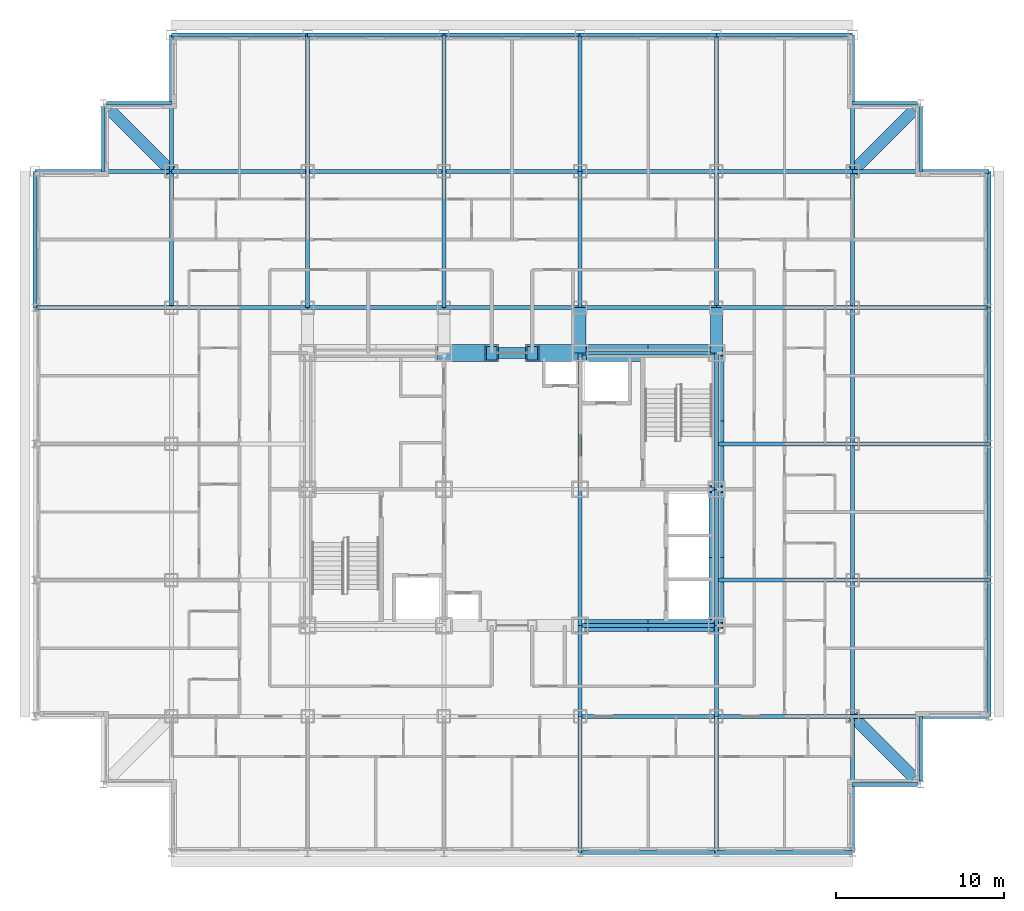
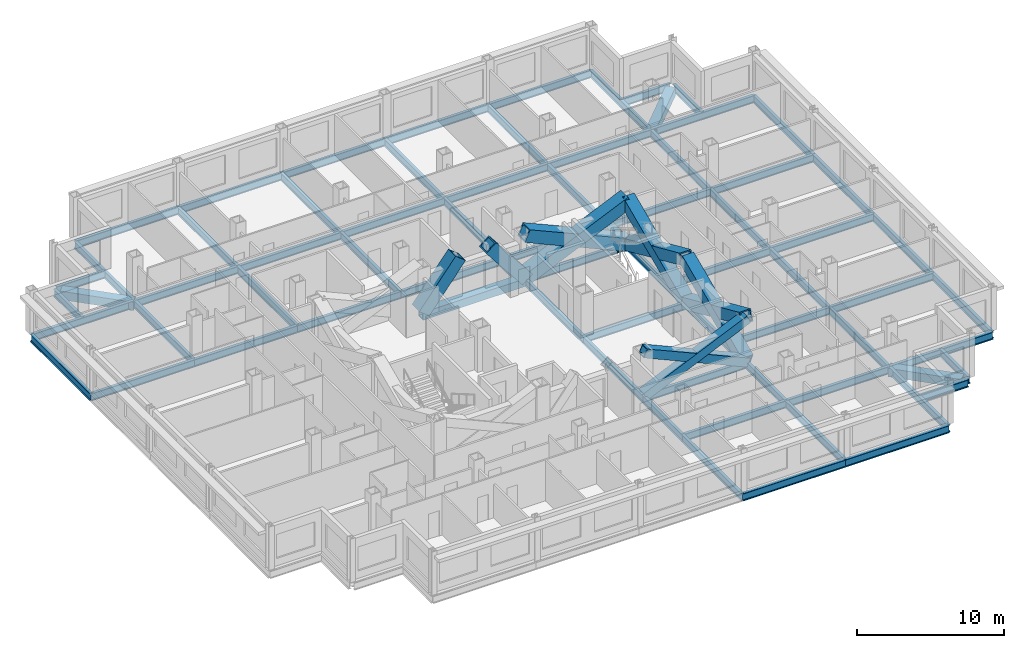
# One storey, part 2 of 12: 72 beams, 10 members.
"""IFC4 building model written with IfcOpenShell, lengths in metres."""

from ifc_helpers import new_model, si_unit, direction, frame, origin, origin_2d, place, context, subcontext, project, spatial, hollow_rectangle, i_section, extrude, material, material_profile, profile_set, type_object, element, save


model = new_model("IFC4")

# Units and contexts
model_context = context("Model", 3, precision=1e-05, world=origin(), true_north=direction((0.0, 1.0)))
body_context = subcontext(model_context, "Body", "Model", "MODEL_VIEW")
ifc_project = project(units=[si_unit("LENGTHUNIT", "METRE"), si_unit("AREAUNIT", "SQUARE_METRE"), si_unit("VOLUMEUNIT", "CUBIC_METRE"), si_unit("PLANEANGLEUNIT", "RADIAN"), si_unit("MASSUNIT", "GRAM", prefix="KILO")], contexts=[model_context])

# Site, building, storey
site_placement = place(None, origin())
site = spatial("IfcSite", under=ifc_project, at=site_placement, CompositionType="ELEMENT")
building_placement = place(site_placement, origin())
building = spatial("IfcBuilding", under=site, at=building_placement, Name="Kopane Lantern Tower", CompositionType="ELEMENT")
storey_placement = place(building_placement, frame((0.0, 0.0, 184.800048828125)))
storey = spatial("IfcBuildingStorey", under=building, at=storey_placement, Name="L47", CompositionType="ELEMENT", Elevation=184.800048828125)

# Members
ifc_material_1 = material(Name="Steel S355JR", Category="steel")
ifc_material_profile_1 = material_profile(ifc_material_1, hollow_rectangle(XDim=1.0, YDim=1.0, WallThickness=0.10009765625, at=origin_2d()), Name="BOX 1000x1000x100")
ifc_profile_set_1 = profile_set([ifc_material_profile_1], Name="Steel S355JR")
member_type_1 = type_object("IfcMemberType", Name="BRACE BOX 1000x1000x100", PredefinedType="BRACE", material=ifc_profile_set_1)
for number, where, z_axis, x_axis, name in (
    (1, (24.300048828125, 40.5, -0.2099609375), (0.620698858423, 0.0, 0.784049059149), (0.0, 1.0, 0.0), "Core brace L47"),
    (2, (32.39990234375, 40.5, -0.2099609375), (-0.620698858423, 0.0, 0.784049059149), (0.0, -1.0, 0.0), "Core brace L47"),
):
    element("IfcMember", number, at=place(storey_placement, frame(where, z_axis=z_axis, x_axis=x_axis)), inside=storey, type_object=member_type_1, Name=name, PredefinedType="BRACE", context=body_context, shape_type="SweptSolid", body=[
        extrude(hollow_rectangle(XDim=1.0, YDim=1.0, WallThickness=0.10009765625, at=origin_2d()), origin(), (0.0, 0.0, 1.0), 4.59130859375),
    ])
for number, where, z_axis, x_axis, name in (
    (3, (32.39990234375, 40.5, -0.2099609375), (0.913819498983, 0.0, 0.406120577265), (0.0, 1.0, 0.0), "Core brace L47"),
    (4, (40.5, 40.5, -0.2099609375), (-0.913819498983, 0.0, 0.406120577265), (0.0, -1.0, 0.0), "Core brace L47"),
):
    element("IfcMember", number, at=place(storey_placement, frame(where, z_axis=z_axis, x_axis=x_axis)), inside=storey, type_object=member_type_1, Name=name, PredefinedType="BRACE", context=body_context, shape_type="SweptSolid", body=[
        extrude(hollow_rectangle(XDim=1.0, YDim=1.0, WallThickness=0.10009765625, at=origin_2d()), origin(), (0.0, 0.0, 1.0), 8.864013671875),
    ])
ifc_material_2 = material(Name="Steel S355JR", Category="steel")
ifc_material_profile_2 = material_profile(ifc_material_2, hollow_rectangle(XDim=0.699951171875, YDim=0.699951171875, WallThickness=0.06005859375, at=origin_2d()), Name="BOX 700x700x60")
ifc_profile_set_2 = profile_set([ifc_material_profile_2], Name="Steel S355JR")
member_type_2 = type_object("IfcMemberType", Name="BRACE BOX 700x700x60", PredefinedType="BRACE", material=ifc_profile_set_2)
for number, where, z_axis, x_axis, name in (
    (5, (32.39990234375, 24.300048828125, -0.2099609375), (0.913819498983, 0.0, 0.406120577265), (0.0, 1.0, 0.0), "Core brace L47"),
    (6, (40.5, 24.300048828125, -0.2099609375), (-0.913819498983, 0.0, 0.406120577265), (0.0, -1.0, 0.0), "Core brace L47"),
):
    element("IfcMember", number, at=place(storey_placement, frame(where, z_axis=z_axis, x_axis=x_axis)), inside=storey, type_object=member_type_2, Name=name, PredefinedType="BRACE", context=body_context, shape_type="SweptSolid", body=[
        extrude(hollow_rectangle(XDim=0.699951171875, YDim=0.699951171875, WallThickness=0.06005859375, at=origin_2d()), origin(), (0.0, 0.0, 1.0), 8.864013671875),
    ])
ifc_material_3 = material(Name="Steel S355JR", Category="steel")
ifc_material_profile_3 = material_profile(ifc_material_3, hollow_rectangle(XDim=0.89990234375, YDim=0.89990234375, WallThickness=0.090087890625, at=origin_2d()), Name="BOX 900x900x90")
ifc_profile_set_3 = profile_set([ifc_material_profile_3], Name="Steel S355JR")
member_type_3 = type_object("IfcMemberType", Name="BRACE BOX 900x900x90", PredefinedType="BRACE", material=ifc_profile_set_3)
for number, where, z_axis, x_axis, name in (
    (7, (40.5, 24.300048828125, -0.2099609375), (0.0, 0.913814956047, 0.406130799256), (-1.0, 0.0, 0.0), "Core brace L47"),
    (8, (40.5, 32.39990234375, -0.2099609375), (0.0, -0.913814956047, 0.406130799256), (1.0, 0.0, 0.0), "Core brace L47"),
):
    element("IfcMember", number, at=place(storey_placement, frame(where, z_axis=z_axis, x_axis=x_axis)), inside=storey, type_object=member_type_3, Name=name, PredefinedType="BRACE", context=body_context, shape_type="SweptSolid", body=[
        extrude(hollow_rectangle(XDim=0.89990234375, YDim=0.89990234375, WallThickness=0.090087890625, at=origin_2d()), origin(), (0.0, 0.0, 1.0), 8.86376953125),
    ])
for number, where, z_axis, x_axis, name in (
    (9, (40.5, 32.39990234375, -0.2099609375), (0.0, 0.913819498983, 0.406120577265), (-1.0, 0.0, 0.0), "Core brace L47"),
    (10, (40.5, 40.5, -0.2099609375), (0.0, -0.913819498983, 0.406120577265), (1.0, 0.0, 0.0), "Core brace L47"),
):
    element("IfcMember", number, at=place(storey_placement, frame(where, z_axis=z_axis, x_axis=x_axis)), inside=storey, type_object=member_type_3, Name=name, PredefinedType="BRACE", context=body_context, shape_type="SweptSolid", body=[
        extrude(hollow_rectangle(XDim=0.89990234375, YDim=0.89990234375, WallThickness=0.090087890625, at=origin_2d()), origin(), (0.0, 0.0, 1.0), 8.864013671875),
    ])

# Beams
ifc_material_4 = material(Name="Steel S355JR", Category="steel")
ifc_material_profile_4 = material_profile(ifc_material_4, i_section(OverallWidth=0.22900390625, OverallDepth=0.6123046875, WebThickness=0.011962890625, FlangeThickness=0.01953125, FilletRadius=0.0126953125, at=origin_2d()), Name="UB 610x229x125")
ifc_profile_set_4 = profile_set([ifc_material_profile_4], Name="Steel S355JR")
beam_type_1 = type_object("IfcBeamType", Name="CORE BEAM UB 610x229x125", PredefinedType="BEAM", material=ifc_profile_set_4)
beam_1_placement = place(storey_placement, frame((32.39990234375, 24.300048828125, -0.51611328125), z_axis=(0.0, 1.0, 0.0), x_axis=(-1.0, 0.0, 0.0)))
element("IfcBeam", 11, at=beam_1_placement, inside=storey, type_object=beam_type_1, Name="Core Beam L47", PredefinedType="BEAM", context=body_context, shape_type="SweptSolid", body=[
    extrude(i_section(OverallWidth=0.22900390625, OverallDepth=0.6123046875, WebThickness=0.011962890625, FlangeThickness=0.01953125, FilletRadius=0.0126953125, at=origin_2d()), origin(), (0.0, 0.0, 1.0), 8.099853515625),
])
for number, where, z_axis, x_axis, name in (
    (12, (32.39990234375, 32.39990234375, -0.51611328125), (0.0, 1.0, 0.0), (-1.0, 0.0, 0.0), "Core Beam L47"),
    (13, (32.39990234375, 32.39990234375, -0.51611328125), (1.0, 0.0, 0.0), (0.0, 1.0, 0.0), "Core Beam L47"),
):
    element("IfcBeam", number, at=place(storey_placement, frame(where, z_axis=z_axis, x_axis=x_axis)), inside=storey, type_object=beam_type_1, Name=name, PredefinedType="BEAM", context=body_context, shape_type="SweptSolid", body=[
        extrude(i_section(OverallWidth=0.22900390625, OverallDepth=0.6123046875, WebThickness=0.011962890625, FlangeThickness=0.01953125, FilletRadius=0.0126953125, at=origin_2d()), origin(), (0.0, 0.0, 1.0), 8.10009765625),
    ])
ifc_material_5 = material(Name="Steel S355JR", Category="steel")
ifc_material_profile_5 = material_profile(ifc_material_5, hollow_rectangle(XDim=0.699951171875, YDim=0.699951171875, WallThickness=0.06005859375, at=origin_2d()), Name="BOX 700x700x60")
ifc_profile_set_5 = profile_set([ifc_material_profile_5], Name="Steel S355JR")
beam_type_2 = type_object("IfcBeamType", Name="CORNER TIE BEAM BOX 700x700x60", PredefinedType="BEAM", material=ifc_profile_set_5)
for number, where, z_axis, x_axis, name in (
    (14, (4.447509765625, 54.952392578125, -0.56005859375), (0.70713041325, -0.707083148333, 0.0), (0.707083148333, 0.70713041325, 0.0), "Corner Tie Beam L47"),
    (15, (52.25244140625, 15.24755859375, -0.56005859375), (-0.707106781187, 0.707106781187, 0.0), (-0.707106781187, -0.707106781187, 0.0), "Corner Tie Beam L47"),
    (16, (52.25244140625, 54.952392578125, -0.56005859375), (-0.707106781187, -0.707106781187, 0.0), (0.707106781187, -0.707106781187, 0.0), "Corner Tie Beam L47"),
):
    element("IfcBeam", number, at=place(storey_placement, frame(where, z_axis=z_axis, x_axis=x_axis)), inside=storey, type_object=beam_type_2, Name=name, PredefinedType="BEAM", context=body_context, shape_type="SweptSolid", body=[
        extrude(hollow_rectangle(XDim=0.699951171875, YDim=0.699951171875, WallThickness=0.06005859375, at=origin_2d()), origin(), (0.0, 0.0, 1.0), 5.165283203125),
    ])
ifc_material_6 = material(Name="Steel S355JR", Category="steel")
ifc_material_profile_6 = material_profile(ifc_material_6, i_section(OverallWidth=0.22900390625, OverallDepth=0.6123046875, WebThickness=0.011962890625, FlangeThickness=0.01953125, FilletRadius=0.0126953125, at=origin_2d()), Name="UB 610x229x125")
ifc_profile_set_6 = profile_set([ifc_material_profile_6], Name="Steel S355JR")
beam_type_3 = type_object("IfcBeamType", Name="EDGE BEAM UB 610x229x125", PredefinedType="BEAM", material=ifc_profile_set_6)
beam_2_placement = place(storey_placement, frame((4.050048828125, 55.146484375, -0.51611328125), z_axis=(0.0, -1.0, 0.0), x_axis=(1.0, 0.0, 0.0)))
element("IfcBeam", 17, at=beam_2_placement, inside=storey, type_object=beam_type_3, Name="Edge Beam L47", PredefinedType="BEAM", context=body_context, shape_type="SweptSolid", body=[
    extrude(i_section(OverallWidth=0.22900390625, OverallDepth=0.6123046875, WebThickness=0.011962890625, FlangeThickness=0.01953125, FilletRadius=0.0126953125, at=origin_2d()), origin(), (0.0, 0.0, 1.0), 3.846435546875),
])
beam_3_placement = place(storey_placement, frame((4.25341796875, 55.35009765625, -0.51611328125), z_axis=(1.0, 0.0, 0.0), x_axis=(0.0, 1.0, 0.0)))
element("IfcBeam", 18, at=beam_3_placement, inside=storey, type_object=beam_type_3, Name="Edge Beam L47", PredefinedType="BEAM", context=body_context, shape_type="SweptSolid", body=[
    extrude(i_section(OverallWidth=0.22900390625, OverallDepth=0.6123046875, WebThickness=0.011962890625, FlangeThickness=0.01953125, FilletRadius=0.0126953125, at=origin_2d()), origin(), (0.0, 0.0, 1.0), 3.8466796875),
])
for number, where, z_axis, x_axis, name in (
    (19, (52.446533203125, 14.85009765625, -0.51611328125), (-1.0, 0.0, 0.0), (0.0, -1.0, 0.0), "Edge Beam L47"),
    (20, (52.446533203125, 55.35009765625, -0.51611328125), (-1.0, 0.0, 0.0), (0.0, -1.0, 0.0), "Edge Beam L47"),
    (21, (52.64990234375, 15.053466796875, -0.51611328125), (0.0, 1.0, 0.0), (-1.0, 0.0, 0.0), "Edge Beam L47"),
    (22, (52.64990234375, 55.146484375, -0.51611328125), (0.0, -1.0, 0.0), (1.0, 0.0, 0.0), "Edge Beam L47"),
):
    element("IfcBeam", number, at=place(storey_placement, frame(where, z_axis=z_axis, x_axis=x_axis)), inside=storey, type_object=beam_type_3, Name=name, PredefinedType="BEAM", context=body_context, shape_type="SweptSolid", body=[
        extrude(i_section(OverallWidth=0.22900390625, OverallDepth=0.6123046875, WebThickness=0.011962890625, FlangeThickness=0.01953125, FilletRadius=0.0126953125, at=origin_2d()), origin(), (0.0, 0.0, 1.0), 3.846435546875),
    ])
ifc_material_7 = material(Name="Steel S355JR", Category="steel")
ifc_material_profile_7 = material_profile(ifc_material_7, hollow_rectangle(XDim=0.699951171875, YDim=0.699951171875, WallThickness=0.06005859375, at=origin_2d()), Name="BOX 700x700x60")
ifc_profile_set_7 = profile_set([ifc_material_profile_7], Name="Steel S355JR")
beam_type_4 = type_object("IfcBeamType", Name="GIRDER BOX 700x700x60", PredefinedType="BEAM", material=ifc_profile_set_7)
for number, where, z_axis, x_axis, name in (
    (23, (32.39990234375, 40.5, -0.56005859375), (0.0, 1.0, 0.0), (-1.0, 0.0, 0.0), "Girder L47"),
    (24, (40.5, 40.5, -0.56005859375), (0.0, 1.0, 0.0), (-1.0, 0.0, 0.0), "Girder L47"),
):
    element("IfcBeam", number, at=place(storey_placement, frame(where, z_axis=z_axis, x_axis=x_axis)), inside=storey, type_object=beam_type_4, Name=name, PredefinedType="BEAM", context=body_context, shape_type="SweptSolid", body=[
        extrude(hollow_rectangle(XDim=0.699951171875, YDim=0.699951171875, WallThickness=0.06005859375, at=origin_2d()), origin(), (0.0, 0.0, 1.0), 2.699951171875),
    ])
ifc_material_8 = material(Name="Steel S355JR", Category="steel")
ifc_material_profile_8 = material_profile(ifc_material_8, i_section(OverallWidth=0.22900390625, OverallDepth=0.6123046875, WebThickness=0.011962890625, FlangeThickness=0.01953125, FilletRadius=0.0126953125, at=origin_2d()), Name="UB 610x229x125")
ifc_profile_set_8 = profile_set([ifc_material_profile_8], Name="Steel S355JR")
beam_type_5 = type_object("IfcBeamType", Name="GIRDER UB 610x229x125", PredefinedType="BEAM", material=ifc_profile_set_8)
for number, where, z_axis, x_axis, name in (
    (25, (0.0, 43.199951171875, -0.51611328125), (0.0, 1.0, 0.0), (-1.0, 0.0, 0.0), "Girder L47"),
    (26, (0.0, 43.199951171875, -0.51611328125), (1.0, 0.0, 0.0), (0.0, 1.0, 0.0), "Girder L47"),
    (27, (0.0, 51.300048828125, -0.51611328125), (1.0, 0.0, 0.0), (0.0, 1.0, 0.0), "Girder L47"),
    (28, (8.10009765625, 43.199951171875, -0.51611328125), (0.0, 1.0, 0.0), (-1.0, 0.0, 0.0), "Girder L47"),
):
    element("IfcBeam", number, at=place(storey_placement, frame(where, z_axis=z_axis, x_axis=x_axis)), inside=storey, type_object=beam_type_5, Name=name, PredefinedType="BEAM", context=body_context, shape_type="SweptSolid", body=[
        extrude(i_section(OverallWidth=0.22900390625, OverallDepth=0.6123046875, WebThickness=0.011962890625, FlangeThickness=0.01953125, FilletRadius=0.0126953125, at=origin_2d()), origin(), (0.0, 0.0, 1.0), 8.10009765625),
    ])
for number, where, z_axis, x_axis, name in (
    (29, (8.10009765625, 43.199951171875, -0.51611328125), (1.0, 0.0, 0.0), (0.0, 1.0, 0.0), "Girder L47"),
    (30, (8.10009765625, 51.300048828125, -0.51611328125), (0.0, 1.0, 0.0), (-1.0, 0.0, 0.0), "Girder L47"),
    (31, (8.10009765625, 51.300048828125, -0.51611328125), (1.0, 0.0, 0.0), (0.0, 1.0, 0.0), "Girder L47"),
    (32, (8.10009765625, 59.39990234375, -0.51611328125), (1.0, 0.0, 0.0), (0.0, 1.0, 0.0), "Girder L47"),
):
    element("IfcBeam", number, at=place(storey_placement, frame(where, z_axis=z_axis, x_axis=x_axis)), inside=storey, type_object=beam_type_5, Name=name, PredefinedType="BEAM", context=body_context, shape_type="SweptSolid", body=[
        extrude(i_section(OverallWidth=0.22900390625, OverallDepth=0.6123046875, WebThickness=0.011962890625, FlangeThickness=0.01953125, FilletRadius=0.0126953125, at=origin_2d()), origin(), (0.0, 0.0, 1.0), 8.099853515625),
    ])
for number, where, z_axis, x_axis, name in (
    (33, (16.199951171875, 43.199951171875, -0.51611328125), (0.0, 1.0, 0.0), (-1.0, 0.0, 0.0), "Girder L47"),
    (34, (16.199951171875, 43.199951171875, -0.51611328125), (1.0, 0.0, 0.0), (0.0, 1.0, 0.0), "Girder L47"),
):
    element("IfcBeam", number, at=place(storey_placement, frame(where, z_axis=z_axis, x_axis=x_axis)), inside=storey, type_object=beam_type_5, Name=name, PredefinedType="BEAM", context=body_context, shape_type="SweptSolid", body=[
        extrude(i_section(OverallWidth=0.22900390625, OverallDepth=0.6123046875, WebThickness=0.011962890625, FlangeThickness=0.01953125, FilletRadius=0.0126953125, at=origin_2d()), origin(), (0.0, 0.0, 1.0), 8.10009765625),
    ])
beam_4_placement = place(storey_placement, frame((16.199951171875, 51.300048828125, -0.51611328125), z_axis=(0.0, 1.0, 0.0), x_axis=(-1.0, 0.0, 0.0)))
element("IfcBeam", 35, at=beam_4_placement, inside=storey, type_object=beam_type_5, Name="Girder L47", PredefinedType="BEAM", context=body_context, shape_type="SweptSolid", body=[
    extrude(i_section(OverallWidth=0.22900390625, OverallDepth=0.6123046875, WebThickness=0.011962890625, FlangeThickness=0.01953125, FilletRadius=0.0126953125, at=origin_2d()), origin(), (0.0, 0.0, 1.0), 8.099853515625),
])
for number, where, z_axis, x_axis, name in (
    (36, (16.199951171875, 51.300048828125, -0.51611328125), (1.0, 0.0, 0.0), (0.0, 1.0, 0.0), "Girder L47"),
    (37, (16.199951171875, 59.39990234375, -0.51611328125), (1.0, 0.0, 0.0), (0.0, 1.0, 0.0), "Girder L47"),
    (38, (24.300048828125, 43.199951171875, -0.51611328125), (0.0, 1.0, 0.0), (-1.0, 0.0, 0.0), "Girder L47"),
):
    element("IfcBeam", number, at=place(storey_placement, frame(where, z_axis=z_axis, x_axis=x_axis)), inside=storey, type_object=beam_type_5, Name=name, PredefinedType="BEAM", context=body_context, shape_type="SweptSolid", body=[
        extrude(i_section(OverallWidth=0.22900390625, OverallDepth=0.6123046875, WebThickness=0.011962890625, FlangeThickness=0.01953125, FilletRadius=0.0126953125, at=origin_2d()), origin(), (0.0, 0.0, 1.0), 8.10009765625),
    ])
for number, where, z_axis, x_axis, name in (
    (39, (24.300048828125, 43.199951171875, -0.51611328125), (1.0, 0.0, 0.0), (0.0, 1.0, 0.0), "Girder L47"),
    (40, (24.300048828125, 51.300048828125, -0.51611328125), (0.0, 1.0, 0.0), (-1.0, 0.0, 0.0), "Girder L47"),
    (41, (24.300048828125, 51.300048828125, -0.51611328125), (1.0, 0.0, 0.0), (0.0, 1.0, 0.0), "Girder L47"),
    (42, (24.300048828125, 59.39990234375, -0.51611328125), (1.0, 0.0, 0.0), (0.0, 1.0, 0.0), "Girder L47"),
    (43, (32.39990234375, 10.800048828125, -0.51611328125), (0.0, 1.0, 0.0), (-1.0, 0.0, 0.0), "Girder L47"),
):
    element("IfcBeam", number, at=place(storey_placement, frame(where, z_axis=z_axis, x_axis=x_axis)), inside=storey, type_object=beam_type_5, Name=name, PredefinedType="BEAM", context=body_context, shape_type="SweptSolid", body=[
        extrude(i_section(OverallWidth=0.22900390625, OverallDepth=0.6123046875, WebThickness=0.011962890625, FlangeThickness=0.01953125, FilletRadius=0.0126953125, at=origin_2d()), origin(), (0.0, 0.0, 1.0), 8.099853515625),
    ])
beam_5_placement = place(storey_placement, frame((32.39990234375, 10.800048828125, -0.51611328125), z_axis=(1.0, 0.0, 0.0), x_axis=(0.0, 1.0, 0.0)))
element("IfcBeam", 44, at=beam_5_placement, inside=storey, type_object=beam_type_5, Name="Girder L47", PredefinedType="BEAM", context=body_context, shape_type="SweptSolid", body=[
    extrude(i_section(OverallWidth=0.22900390625, OverallDepth=0.6123046875, WebThickness=0.011962890625, FlangeThickness=0.01953125, FilletRadius=0.0126953125, at=origin_2d()), origin(), (0.0, 0.0, 1.0), 8.10009765625),
])
beam_6_placement = place(storey_placement, frame((32.39990234375, 18.89990234375, -0.51611328125), z_axis=(0.0, 1.0, 0.0), x_axis=(-1.0, 0.0, 0.0)))
element("IfcBeam", 45, at=beam_6_placement, inside=storey, type_object=beam_type_5, Name="Girder L47", PredefinedType="BEAM", context=body_context, shape_type="SweptSolid", body=[
    extrude(i_section(OverallWidth=0.22900390625, OverallDepth=0.6123046875, WebThickness=0.011962890625, FlangeThickness=0.01953125, FilletRadius=0.0126953125, at=origin_2d()), origin(), (0.0, 0.0, 1.0), 5.400146484375),
])
for number, where, z_axis, x_axis, name in (
    (46, (32.39990234375, 18.89990234375, -0.51611328125), (1.0, 0.0, 0.0), (0.0, 1.0, 0.0), "Girder L47"),
    (47, (32.39990234375, 24.300048828125, -0.51611328125), (1.0, 0.0, 0.0), (0.0, 1.0, 0.0), "Girder L47"),
    (48, (32.39990234375, 40.5, -0.51611328125), (1.0, 0.0, 0.0), (0.0, 1.0, 0.0), "Girder L47"),
    (49, (32.39990234375, 43.199951171875, -0.51611328125), (0.0, 1.0, 0.0), (-1.0, 0.0, 0.0), "Girder L47"),
    (50, (32.39990234375, 43.199951171875, -0.51611328125), (1.0, 0.0, 0.0), (0.0, 1.0, 0.0), "Girder L47"),
):
    element("IfcBeam", number, at=place(storey_placement, frame(where, z_axis=z_axis, x_axis=x_axis)), inside=storey, type_object=beam_type_5, Name=name, PredefinedType="BEAM", context=body_context, shape_type="SweptSolid", body=[
        extrude(i_section(OverallWidth=0.22900390625, OverallDepth=0.6123046875, WebThickness=0.011962890625, FlangeThickness=0.01953125, FilletRadius=0.0126953125, at=origin_2d()), origin(), (0.0, 0.0, 1.0), 8.10009765625),
    ])
beam_7_placement = place(storey_placement, frame((32.39990234375, 51.300048828125, -0.51611328125), z_axis=(0.0, 1.0, 0.0), x_axis=(-1.0, 0.0, 0.0)))
element("IfcBeam", 51, at=beam_7_placement, inside=storey, type_object=beam_type_5, Name="Girder L47", PredefinedType="BEAM", context=body_context, shape_type="SweptSolid", body=[
    extrude(i_section(OverallWidth=0.22900390625, OverallDepth=0.6123046875, WebThickness=0.011962890625, FlangeThickness=0.01953125, FilletRadius=0.0126953125, at=origin_2d()), origin(), (0.0, 0.0, 1.0), 8.099853515625),
])
for number, where, z_axis, x_axis, name in (
    (52, (32.39990234375, 51.300048828125, -0.51611328125), (1.0, 0.0, 0.0), (0.0, 1.0, 0.0), "Girder L47"),
    (53, (32.39990234375, 59.39990234375, -0.51611328125), (1.0, 0.0, 0.0), (0.0, 1.0, 0.0), "Girder L47"),
):
    element("IfcBeam", number, at=place(storey_placement, frame(where, z_axis=z_axis, x_axis=x_axis)), inside=storey, type_object=beam_type_5, Name=name, PredefinedType="BEAM", context=body_context, shape_type="SweptSolid", body=[
        extrude(i_section(OverallWidth=0.22900390625, OverallDepth=0.6123046875, WebThickness=0.011962890625, FlangeThickness=0.01953125, FilletRadius=0.0126953125, at=origin_2d()), origin(), (0.0, 0.0, 1.0), 8.10009765625),
    ])
beam_8_placement = place(storey_placement, frame((40.5, 10.800048828125, -0.51611328125), z_axis=(0.0, 1.0, 0.0), x_axis=(-1.0, 0.0, 0.0)))
element("IfcBeam", 54, at=beam_8_placement, inside=storey, type_object=beam_type_5, Name="Girder L47", PredefinedType="BEAM", context=body_context, shape_type="SweptSolid", body=[
    extrude(i_section(OverallWidth=0.22900390625, OverallDepth=0.6123046875, WebThickness=0.011962890625, FlangeThickness=0.01953125, FilletRadius=0.0126953125, at=origin_2d()), origin(), (0.0, 0.0, 1.0), 8.099853515625),
])
beam_9_placement = place(storey_placement, frame((40.5, 10.800048828125, -0.51611328125), z_axis=(1.0, 0.0, 0.0), x_axis=(0.0, 1.0, 0.0)))
element("IfcBeam", 55, at=beam_9_placement, inside=storey, type_object=beam_type_5, Name="Girder L47", PredefinedType="BEAM", context=body_context, shape_type="SweptSolid", body=[
    extrude(i_section(OverallWidth=0.22900390625, OverallDepth=0.6123046875, WebThickness=0.011962890625, FlangeThickness=0.01953125, FilletRadius=0.0126953125, at=origin_2d()), origin(), (0.0, 0.0, 1.0), 8.10009765625),
])
beam_10_placement = place(storey_placement, frame((40.5, 18.89990234375, -0.51611328125), z_axis=(0.0, 1.0, 0.0), x_axis=(-1.0, 0.0, 0.0)))
element("IfcBeam", 56, at=beam_10_placement, inside=storey, type_object=beam_type_5, Name="Girder L47", PredefinedType="BEAM", context=body_context, shape_type="SweptSolid", body=[
    extrude(i_section(OverallWidth=0.22900390625, OverallDepth=0.6123046875, WebThickness=0.011962890625, FlangeThickness=0.01953125, FilletRadius=0.0126953125, at=origin_2d()), origin(), (0.0, 0.0, 1.0), 5.400146484375),
])
beam_11_placement = place(storey_placement, frame((40.5, 18.89990234375, -0.51611328125), z_axis=(1.0, 0.0, 0.0), x_axis=(0.0, 1.0, 0.0)))
element("IfcBeam", 57, at=beam_11_placement, inside=storey, type_object=beam_type_5, Name="Girder L47", PredefinedType="BEAM", context=body_context, shape_type="SweptSolid", body=[
    extrude(i_section(OverallWidth=0.22900390625, OverallDepth=0.6123046875, WebThickness=0.011962890625, FlangeThickness=0.01953125, FilletRadius=0.0126953125, at=origin_2d()), origin(), (0.0, 0.0, 1.0), 8.10009765625),
])
beam_12_placement = place(storey_placement, frame((40.5, 24.300048828125, -0.51611328125), z_axis=(0.0, 1.0, 0.0), x_axis=(-1.0, 0.0, 0.0)))
element("IfcBeam", 58, at=beam_12_placement, inside=storey, type_object=beam_type_5, Name="Girder L47", PredefinedType="BEAM", context=body_context, shape_type="SweptSolid", body=[
    extrude(i_section(OverallWidth=0.22900390625, OverallDepth=0.6123046875, WebThickness=0.011962890625, FlangeThickness=0.01953125, FilletRadius=0.0126953125, at=origin_2d()), origin(), (0.0, 0.0, 1.0), 8.099853515625),
])
for number, where, z_axis, x_axis, name in (
    (59, (40.5, 27.0, -0.51611328125), (1.0, 0.0, 0.0), (0.0, 1.0, 0.0), "Girder L47"),
    (60, (40.5, 32.39990234375, -0.51611328125), (0.0, 1.0, 0.0), (-1.0, 0.0, 0.0), "Girder L47"),
    (61, (40.5, 35.10009765625, -0.51611328125), (1.0, 0.0, 0.0), (0.0, 1.0, 0.0), "Girder L47"),
    (62, (40.5, 43.199951171875, -0.51611328125), (0.0, 1.0, 0.0), (-1.0, 0.0, 0.0), "Girder L47"),
    (63, (40.5, 43.199951171875, -0.51611328125), (1.0, 0.0, 0.0), (0.0, 1.0, 0.0), "Girder L47"),
):
    element("IfcBeam", number, at=place(storey_placement, frame(where, z_axis=z_axis, x_axis=x_axis)), inside=storey, type_object=beam_type_5, Name=name, PredefinedType="BEAM", context=body_context, shape_type="SweptSolid", body=[
        extrude(i_section(OverallWidth=0.22900390625, OverallDepth=0.6123046875, WebThickness=0.011962890625, FlangeThickness=0.01953125, FilletRadius=0.0126953125, at=origin_2d()), origin(), (0.0, 0.0, 1.0), 8.10009765625),
    ])
beam_13_placement = place(storey_placement, frame((40.5, 51.300048828125, -0.51611328125), z_axis=(0.0, 1.0, 0.0), x_axis=(-1.0, 0.0, 0.0)))
element("IfcBeam", 64, at=beam_13_placement, inside=storey, type_object=beam_type_5, Name="Girder L47", PredefinedType="BEAM", context=body_context, shape_type="SweptSolid", body=[
    extrude(i_section(OverallWidth=0.22900390625, OverallDepth=0.6123046875, WebThickness=0.011962890625, FlangeThickness=0.01953125, FilletRadius=0.0126953125, at=origin_2d()), origin(), (0.0, 0.0, 1.0), 8.099853515625),
])
for number, where, z_axis, x_axis, name in (
    (65, (40.5, 51.300048828125, -0.51611328125), (1.0, 0.0, 0.0), (0.0, 1.0, 0.0), "Girder L47"),
    (66, (40.5, 59.39990234375, -0.51611328125), (1.0, 0.0, 0.0), (0.0, 1.0, 0.0), "Girder L47"),
):
    element("IfcBeam", number, at=place(storey_placement, frame(where, z_axis=z_axis, x_axis=x_axis)), inside=storey, type_object=beam_type_5, Name=name, PredefinedType="BEAM", context=body_context, shape_type="SweptSolid", body=[
        extrude(i_section(OverallWidth=0.22900390625, OverallDepth=0.6123046875, WebThickness=0.011962890625, FlangeThickness=0.01953125, FilletRadius=0.0126953125, at=origin_2d()), origin(), (0.0, 0.0, 1.0), 8.10009765625),
    ])
beam_14_placement = place(storey_placement, frame((48.60009765625, 10.800048828125, -0.51611328125), z_axis=(0.0, 1.0, 0.0), x_axis=(-1.0, 0.0, 0.0)))
element("IfcBeam", 67, at=beam_14_placement, inside=storey, type_object=beam_type_5, Name="Girder L47", PredefinedType="BEAM", context=body_context, shape_type="SweptSolid", body=[
    extrude(i_section(OverallWidth=0.22900390625, OverallDepth=0.6123046875, WebThickness=0.011962890625, FlangeThickness=0.01953125, FilletRadius=0.0126953125, at=origin_2d()), origin(), (0.0, 0.0, 1.0), 8.099853515625),
])
beam_15_placement = place(storey_placement, frame((48.60009765625, 18.89990234375, -0.51611328125), z_axis=(0.0, 1.0, 0.0), x_axis=(-1.0, 0.0, 0.0)))
element("IfcBeam", 68, at=beam_15_placement, inside=storey, type_object=beam_type_5, Name="Girder L47", PredefinedType="BEAM", context=body_context, shape_type="SweptSolid", body=[
    extrude(i_section(OverallWidth=0.22900390625, OverallDepth=0.6123046875, WebThickness=0.011962890625, FlangeThickness=0.01953125, FilletRadius=0.0126953125, at=origin_2d()), origin(), (0.0, 0.0, 1.0), 8.10009765625),
])
beam_16_placement = place(storey_placement, frame((48.60009765625, 18.89990234375, -0.51611328125), z_axis=(1.0, 0.0, 0.0), x_axis=(0.0, 1.0, 0.0)))
element("IfcBeam", 69, at=beam_16_placement, inside=storey, type_object=beam_type_5, Name="Girder L47", PredefinedType="BEAM", context=body_context, shape_type="SweptSolid", body=[
    extrude(i_section(OverallWidth=0.22900390625, OverallDepth=0.6123046875, WebThickness=0.011962890625, FlangeThickness=0.01953125, FilletRadius=0.0126953125, at=origin_2d()), origin(), (0.0, 0.0, 1.0), 8.099853515625),
])
beam_17_placement = place(storey_placement, frame((48.60009765625, 27.0, -0.51611328125), z_axis=(0.0, 1.0, 0.0), x_axis=(-1.0, 0.0, 0.0)))
element("IfcBeam", 70, at=beam_17_placement, inside=storey, type_object=beam_type_5, Name="Girder L47", PredefinedType="BEAM", context=body_context, shape_type="SweptSolid", body=[
    extrude(i_section(OverallWidth=0.22900390625, OverallDepth=0.6123046875, WebThickness=0.011962890625, FlangeThickness=0.01953125, FilletRadius=0.0126953125, at=origin_2d()), origin(), (0.0, 0.0, 1.0), 8.10009765625),
])
for number, where, z_axis, x_axis, name in (
    (71, (48.60009765625, 27.0, -0.51611328125), (1.0, 0.0, 0.0), (0.0, 1.0, 0.0), "Girder L47"),
    (72, (48.60009765625, 35.10009765625, -0.51611328125), (0.0, 1.0, 0.0), (-1.0, 0.0, 0.0), "Girder L47"),
    (73, (48.60009765625, 35.10009765625, -0.51611328125), (1.0, 0.0, 0.0), (0.0, 1.0, 0.0), "Girder L47"),
):
    element("IfcBeam", number, at=place(storey_placement, frame(where, z_axis=z_axis, x_axis=x_axis)), inside=storey, type_object=beam_type_5, Name=name, PredefinedType="BEAM", context=body_context, shape_type="SweptSolid", body=[
        extrude(i_section(OverallWidth=0.22900390625, OverallDepth=0.6123046875, WebThickness=0.011962890625, FlangeThickness=0.01953125, FilletRadius=0.0126953125, at=origin_2d()), origin(), (0.0, 0.0, 1.0), 8.099853515625),
    ])
beam_18_placement = place(storey_placement, frame((48.60009765625, 43.199951171875, -0.51611328125), z_axis=(0.0, 1.0, 0.0), x_axis=(-1.0, 0.0, 0.0)))
element("IfcBeam", 74, at=beam_18_placement, inside=storey, type_object=beam_type_5, Name="Girder L47", PredefinedType="BEAM", context=body_context, shape_type="SweptSolid", body=[
    extrude(i_section(OverallWidth=0.22900390625, OverallDepth=0.6123046875, WebThickness=0.011962890625, FlangeThickness=0.01953125, FilletRadius=0.0126953125, at=origin_2d()), origin(), (0.0, 0.0, 1.0), 8.10009765625),
])
for number, where, z_axis, x_axis, name in (
    (75, (48.60009765625, 43.199951171875, -0.51611328125), (1.0, 0.0, 0.0), (0.0, 1.0, 0.0), "Girder L47"),
    (76, (48.60009765625, 51.300048828125, -0.51611328125), (0.0, 1.0, 0.0), (-1.0, 0.0, 0.0), "Girder L47"),
    (77, (48.60009765625, 51.300048828125, -0.51611328125), (1.0, 0.0, 0.0), (0.0, 1.0, 0.0), "Girder L47"),
):
    element("IfcBeam", number, at=place(storey_placement, frame(where, z_axis=z_axis, x_axis=x_axis)), inside=storey, type_object=beam_type_5, Name=name, PredefinedType="BEAM", context=body_context, shape_type="SweptSolid", body=[
        extrude(i_section(OverallWidth=0.22900390625, OverallDepth=0.6123046875, WebThickness=0.011962890625, FlangeThickness=0.01953125, FilletRadius=0.0126953125, at=origin_2d()), origin(), (0.0, 0.0, 1.0), 8.099853515625),
    ])
for number, where, z_axis, x_axis, name in (
    (78, (56.699951171875, 18.89990234375, -0.51611328125), (0.0, 1.0, 0.0), (-1.0, 0.0, 0.0), "Girder L47"),
    (79, (56.699951171875, 27.0, -0.51611328125), (0.0, 1.0, 0.0), (-1.0, 0.0, 0.0), "Girder L47"),
):
    element("IfcBeam", number, at=place(storey_placement, frame(where, z_axis=z_axis, x_axis=x_axis)), inside=storey, type_object=beam_type_5, Name=name, PredefinedType="BEAM", context=body_context, shape_type="SweptSolid", body=[
        extrude(i_section(OverallWidth=0.22900390625, OverallDepth=0.6123046875, WebThickness=0.011962890625, FlangeThickness=0.01953125, FilletRadius=0.0126953125, at=origin_2d()), origin(), (0.0, 0.0, 1.0), 8.10009765625),
    ])
beam_19_placement = place(storey_placement, frame((56.699951171875, 35.10009765625, -0.51611328125), z_axis=(0.0, 1.0, 0.0), x_axis=(-1.0, 0.0, 0.0)))
element("IfcBeam", 80, at=beam_19_placement, inside=storey, type_object=beam_type_5, Name="Girder L47", PredefinedType="BEAM", context=body_context, shape_type="SweptSolid", body=[
    extrude(i_section(OverallWidth=0.22900390625, OverallDepth=0.6123046875, WebThickness=0.011962890625, FlangeThickness=0.01953125, FilletRadius=0.0126953125, at=origin_2d()), origin(), (0.0, 0.0, 1.0), 8.099853515625),
])
beam_20_placement = place(storey_placement, frame((56.699951171875, 43.199951171875, -0.51611328125), z_axis=(0.0, 1.0, 0.0), x_axis=(-1.0, 0.0, 0.0)))
element("IfcBeam", 81, at=beam_20_placement, inside=storey, type_object=beam_type_5, Name="Girder L47", PredefinedType="BEAM", context=body_context, shape_type="SweptSolid", body=[
    extrude(i_section(OverallWidth=0.22900390625, OverallDepth=0.6123046875, WebThickness=0.011962890625, FlangeThickness=0.01953125, FilletRadius=0.0126953125, at=origin_2d()), origin(), (0.0, 0.0, 1.0), 8.10009765625),
])
ifc_material_9 = material(Name="Steel S355JR", Category="steel")
ifc_material_profile_9 = material_profile(ifc_material_9, hollow_rectangle(XDim=0.64990234375, YDim=0.64990234375, WallThickness=0.070068359375, at=origin_2d()), Name="BOX 650x650x70")
ifc_profile_set_9 = profile_set([ifc_material_profile_9], Name="Steel S355JR")
beam_type_6 = type_object("IfcBeamType", Name="LINK BEAM BOX 650x650x70", PredefinedType="BEAM", material=ifc_profile_set_9)
beam_21_placement = place(storey_placement, frame((24.300048828125, 40.5, -0.53515625), z_axis=(1.0, 0.0, 0.0), x_axis=(0.0, 1.0, 0.0)))
element("IfcBeam", 82, at=beam_21_placement, inside=storey, type_object=beam_type_6, Name="Link Beam L47", PredefinedType="BEAM", context=body_context, shape_type="SweptSolid", body=[
    extrude(hollow_rectangle(XDim=0.64990234375, YDim=0.64990234375, WallThickness=0.070068359375, at=origin_2d()), origin(), (0.0, 0.0, 1.0), 8.099853515625),
])

save(model, "model.ifc")
